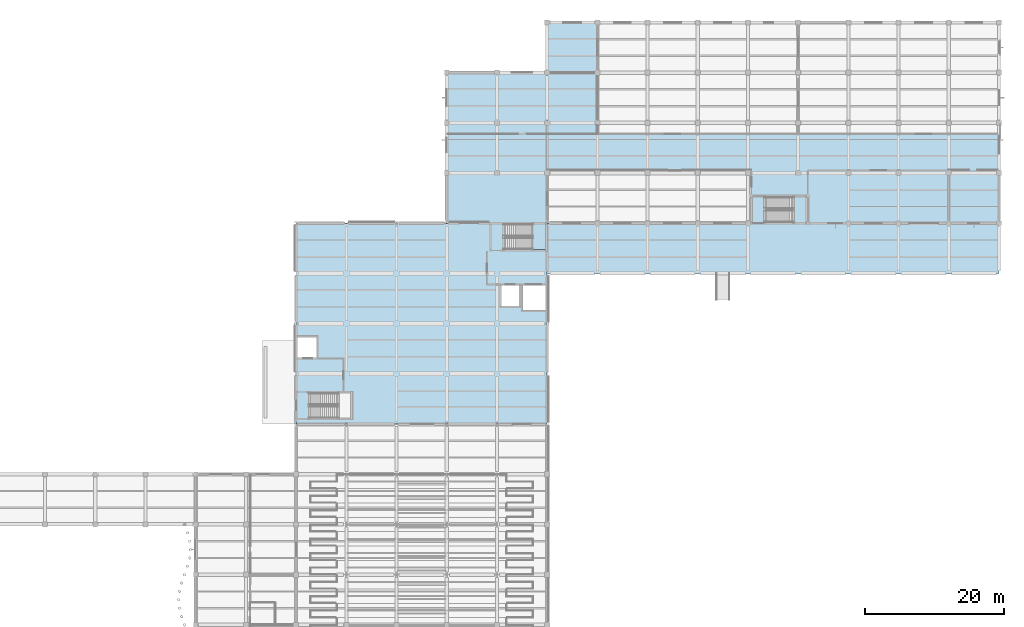
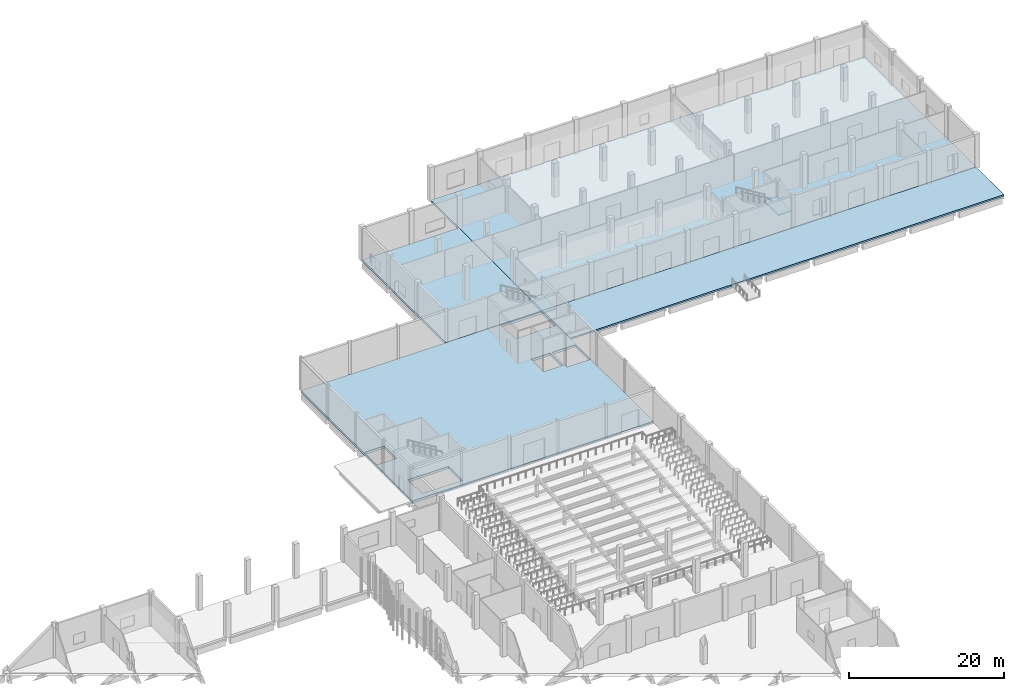
# One storey, part 21 of 46: 6 slabs, 2 elements without a shape of their own.
"""IFC4 building model written with IfcOpenShell, lengths in metres."""

import ifcopenshell
import ifcopenshell.guid

model = None  # the IFC model being written
_history = None  # IfcOwnerHistory: only IFC2X3 demands one
_inside = {}  # id of a spatial element -> (the spatial element, [elements in it])
_under = {}  # id of a project, library or spatial element -> (it, [spatial elements below it])
_declared = {}  # id of a project -> (the project, [libraries it declares])
_typed = {}  # id of a type object -> (the type object, [elements of that type])
_made_of = {}  # id of a material, layer set ... -> (it, [elements and type objects made of it])


def new_model(schema):
    """Start an empty IFC model of exactly this schema.

    Asked for "IFC4X3", IfcOpenShell would pick the latest addendum, in which some entities
    have other attributes; the version numbers below select the first issue.
    IFC2X3 requires an IfcOwnerHistory on every rooted entity: one is made here for all.
    """
    global model, _history
    if schema == "IFC4X3":
        model = ifcopenshell.file(schema_version=(4, 3, 0, 0))
    else:
        model = ifcopenshell.file(schema=schema)
    _inside.clear()
    _under.clear()
    _declared.clear()
    _typed.clear()
    _made_of.clear()
    _history = None
    if model.schema == "IFC2X3":
        org = make("IfcOrganization", Name="unknown")
        user = make(
            "IfcPersonAndOrganization",
            ThePerson=make("IfcPerson", FamilyName="unknown"),
            TheOrganization=org,
        )
        app = make(
            "IfcApplication",
            ApplicationDeveloper=org,
            Version="unknown",
            ApplicationFullName="unknown",
            ApplicationIdentifier="unknown",
        )
        _history = make(
            "IfcOwnerHistory",
            OwningUser=user,
            OwningApplication=app,
            ChangeAction="ADDED",
            CreationDate=0,
        )
    return model


def make(cls, **values):
    """One entity of the class cls with the attributes given. An attribute that is None is left unset."""
    return model.create_entity(
        cls, **{name: value for name, value in values.items() if value is not None}
    )


def rooted(cls, **values):
    """An entity with a GlobalId (a new one), such as an element, a storey or a relation."""
    return make(cls, GlobalId=ifcopenshell.guid.new(), OwnerHistory=_history, **values)


def si_unit(unit_type, name, prefix=None):
    """IfcSIUnit, for example si_unit("LENGTHUNIT", "METRE", prefix="MILLI")."""
    return make("IfcSIUnit", UnitType=unit_type, Prefix=prefix, Name=name)


def assignment(units):
    """IfcUnitAssignment: the units of a project."""
    return None if units is None else make("IfcUnitAssignment", Units=units)


def point(xyz):
    """IfcCartesianPoint."""
    return None if xyz is None else make("IfcCartesianPoint", Coordinates=xyz)


def direction(xyz):
    """IfcDirection."""
    return None if xyz is None else make("IfcDirection", DirectionRatios=xyz)


def frame(location, z_axis=None, x_axis=None):
    """IfcAxis2Placement3D, a coordinate frame: its origin and axes. An axis left out is left unset."""
    return make(
        "IfcAxis2Placement3D",
        Location=point(location),
        Axis=direction(z_axis),
        RefDirection=direction(x_axis),
    )


def origin():
    """The frame at (0, 0, 0) with its axes left unset."""
    return frame((0.0, 0.0, 0.0))


def place(relative_to, where):
    """IfcLocalPlacement: puts the frame where relative to a parent placement (None: the world)."""
    return make(
        "IfcLocalPlacement", PlacementRelTo=relative_to, RelativePlacement=where
    )


def context(
    kind, dimensions, precision=None, world=None, true_north=None, identifier=None
):
    """IfcGeometricRepresentationContext, for example the 3D "Model" context."""
    return make(
        "IfcGeometricRepresentationContext",
        ContextIdentifier=identifier,
        ContextType=kind,
        CoordinateSpaceDimension=dimensions,
        Precision=precision,
        WorldCoordinateSystem=world,
        TrueNorth=true_north,
    )


def subcontext(parent, identifier, kind, view, scale=None):
    """IfcGeometricRepresentationSubContext, for example "Body" below "Model"."""
    return make(
        "IfcGeometricRepresentationSubContext",
        ContextIdentifier=identifier,
        ContextType=kind,
        ParentContext=parent,
        TargetScale=scale,
        TargetView=view,
    )


def project(units=None, contexts=None):
    """IfcProject with its units and contexts."""
    return rooted(
        "IfcProject",
        Name="project",
        RepresentationContexts=contexts,
        UnitsInContext=assignment(units),
    )


def spatial(cls, under=None, at=None, **own):
    """A site, building, storey or space (cls), placed at a placement, below another one or the project."""
    s = rooted(cls, ObjectPlacement=at, **own)
    if under is not None:
        _under.setdefault(under.id(), (under, []))[1].append(s)
    return s


def polyline(points):
    """IfcPolyline through the points."""
    return make("IfcPolyline", Points=[point(p) for p in points])


def outline(outer, holes=None, kind="AREA"):
    """IfcArbitraryClosedProfileDef: a profile drawn as a closed curve; with holes, ...WithVoids."""
    if holes is None:
        return make("IfcArbitraryClosedProfileDef", ProfileType=kind, OuterCurve=outer)
    return make(
        "IfcArbitraryProfileDefWithVoids",
        ProfileType=kind,
        OuterCurve=outer,
        InnerCurves=holes,
    )


def extrude(swept, where, along, depth):
    """IfcExtrudedAreaSolid: the profile swept, set in the frame where, extruded along a direction by depth."""
    return make(
        "IfcExtrudedAreaSolid",
        SweptArea=swept,
        Position=where,
        ExtrudedDirection=direction(along),
        Depth=depth,
    )


def shape(context_of_items, identifier, shape_type, items):
    """IfcShapeRepresentation: the items that make up one representation, for example the "Body"."""
    return make(
        "IfcShapeRepresentation",
        ContextOfItems=context_of_items,
        RepresentationIdentifier=identifier,
        RepresentationType=shape_type,
        Items=items,
    )


def material(Name=None, Category=None):
    """IfcMaterial."""
    return make("IfcMaterial", Name=Name, Category=Category)


def layer(
    of_material, thickness, ventilated=None, Name=None, Category=None, Priority=None
):
    """IfcMaterialLayer: one layer of a wall or slab, of a material (None: an air gap)."""
    return make(
        "IfcMaterialLayer",
        Material=of_material,
        LayerThickness=thickness,
        IsVentilated=ventilated,
        Name=Name,
        Category=Category,
        Priority=Priority,
    )


def layer_set(layers, Name=None):
    """IfcMaterialLayerSet."""
    return make("IfcMaterialLayerSet", MaterialLayers=layers, LayerSetName=Name)


def made_of(thing, what):
    """Note that an element or type object is made of a material, layer set ...; save() writes the relation."""
    if what is not None:
        _made_of.setdefault(what.id(), (what, []))[1].append(thing)
    return thing


def type_object(cls, material=None, **own):
    """A type object (cls), such as IfcWallType, which elements share."""
    return made_of(rooted(cls, **own), material)


def element(
    cls,
    number,
    at=None,
    inside=None,
    cuts=None,
    type_object=None,
    material=None,
    context=None,
    identifier="Body",
    shape_type=None,
    held_by="IfcProductDefinitionShape",
    body=None,
    shapes=None,
    **own,
):
    """One element of the class cls, such as IfcWall. Its Tag is "e" and its number.

    at: its placement. inside: the storey or other place that contains it. cuts: it is an
    opening in that element (IfcRelVoidsElement). A single representation is given by context,
    identifier, shape_type and body (its items); several are given by shapes. held_by: the class
    of the entity that holds the representations. save() writes the other relations.
    """
    e = rooted(cls, Tag="e%d" % number, ObjectPlacement=at, **own)
    if body is not None:
        shapes = [shape(context, identifier, shape_type, body)]
    if shapes is not None:
        e.Representation = make(held_by, Representations=shapes)
    if inside is not None:
        _inside.setdefault(inside.id(), (inside, []))[1].append(e)
    if cuts is not None:
        rooted(
            "IfcRelVoidsElement", RelatingBuildingElement=cuts, RelatedOpeningElement=e
        )
    if type_object is not None:
        _typed.setdefault(type_object.id(), (type_object, []))[1].append(e)
    return made_of(e, material)


def aggregate(whole, parts):
    """IfcRelAggregates: a whole, such as a stair, and the parts it consists of."""
    return rooted("IfcRelAggregates", RelatingObject=whole, RelatedObjects=parts)


def save(model, path):
    """Write the relations noted so far, then the file.

    IfcRelAggregates (storeys below a building ...), IfcRelContainedInSpatialStructure (elements
    in a storey), IfcRelDefinesByType, IfcRelAssociatesMaterial and IfcRelDeclares: one each for
    every whole, place, type object, material and project.
    """
    for whole, parts in _under.values():
        aggregate(whole, parts)
    for where, things in _inside.values():
        rooted(
            "IfcRelContainedInSpatialStructure",
            RelatedElements=things,
            RelatingStructure=where,
        )
    for kind, things in _typed.values():
        rooted("IfcRelDefinesByType", RelatedObjects=things, RelatingType=kind)
    for what, things in _made_of.values():
        rooted("IfcRelAssociatesMaterial", RelatedObjects=things, RelatingMaterial=what)
    for by, libraries in _declared.values():
        rooted("IfcRelDeclares", RelatingContext=by, RelatedDefinitions=libraries)
    model.write(path)


model = new_model("IFC4")

# Units and contexts
model_context = context("Model", 3, precision=1e-05, world=origin(), true_north=direction((0.0, 1.0)))
body_context = subcontext(model_context, "Body", "Model", "MODEL_VIEW")
ifc_project = project(units=[si_unit("LENGTHUNIT", "METRE"), si_unit("AREAUNIT", "SQUARE_METRE"), si_unit("VOLUMEUNIT", "CUBIC_METRE"), si_unit("PLANEANGLEUNIT", "RADIAN"), si_unit("MASSUNIT", "GRAM", prefix="KILO"), si_unit("THERMODYNAMICTEMPERATUREUNIT", "KELVIN"), si_unit("POWERUNIT", "WATT")], contexts=[model_context])

# Site, building, storey
site_placement = place(None, origin())
site = spatial("IfcSite", under=ifc_project, at=site_placement, CompositionType="ELEMENT")
building_placement = place(site_placement, origin())
building = spatial("IfcBuilding", under=site, at=building_placement, Name="Kaldorven Railside Theatre", CompositionType="ELEMENT")
storey_placement = place(building_placement, origin())
storey = spatial("IfcBuildingStorey", under=building, at=storey_placement, Name="L00", CompositionType="ELEMENT", Elevation=0.0)

# Slabs
ifc_material = material(Name="Concrete C35/45", Category="concrete")
ifc_layer_1 = layer(ifc_material, 0.25, Name="Concrete C35/45")
ifc_layer_set_1 = layer_set([ifc_layer_1], Name="Concrete C35/45")
slab_type_1 = type_object("IfcSlabType", Name="SLB-ESL-250", PredefinedType="FLOOR", material=ifc_layer_set_1)
slab_1_placement = place(storey_placement, frame((0.0, 0.0, -0.25)))
element("IfcSlab", 1, at=slab_1_placement, inside=storey, type_object=slab_type_1, Name="L00 Floor Slab SL-L00-APR", PredefinedType="FLOOR", context=body_context, shape_type="SweptSolid", body=[
    extrude(outline(polyline([(123.199951171875, 105.60009765625), (188.0, 105.60009765625), (188.0, 112.800048828125), (123.199951171875, 112.800048828125), (123.199951171875, 105.60009765625)])), origin(), (0.0, 0.0, 1.0), 0.25),
])
ifc_layer_2 = layer(ifc_material, 0.35009765625, Name="Concrete C35/45")
ifc_layer_set_2 = layer_set([ifc_layer_2], Name="Concrete C35/45")
slab_type_2 = type_object("IfcSlabType", Name="SLB-FSL-350", PredefinedType="FLOOR", material=ifc_layer_set_2)
slab_2_placement = place(storey_placement, frame((0.0, 0.0, -0.35009765625)))
element("IfcSlab", 2, at=slab_2_placement, inside=storey, type_object=slab_type_2, Name="L00 Floor Slab SL-L00-V6", PredefinedType="FLOOR", context=body_context, shape_type="SweptSolid", body=[
    extrude(outline(polyline([(123.199951171875, 112.800048828125), (188.0, 112.800048828125), (188.0, 141.60009765625), (123.199951171875, 141.60009765625), (123.199951171875, 112.800048828125)])), origin(), (0.0, 0.0, 1.0), 0.35009765625),
])
slab_3_placement = place(storey_placement, frame((0.0, 0.0, -0.35009765625)))
element("IfcSlab", 3, at=slab_3_placement, inside=storey, type_object=slab_type_2, Name="L00 Floor Slab SL-L00-V6L", PredefinedType="FLOOR", context=body_context, shape_type="SweptSolid", body=[
    extrude(outline(polyline([(108.800048828125, 112.800048828125), (123.199951171875, 112.800048828125), (123.199951171875, 134.39990234375), (108.800048828125, 134.39990234375), (108.800048828125, 112.800048828125)])), origin(), (0.0, 0.0, 1.0), 0.35009765625),
])
ifc_layer_3 = layer(ifc_material, 0.3798828125, Name="Concrete C35/45")
ifc_layer_set_3 = layer_set([ifc_layer_3], Name="Concrete C35/45")
slab_type_3 = type_object("IfcSlabType", Name="SLB-FSL-380", PredefinedType="FLOOR", material=ifc_layer_set_3)
slab_4_placement = place(storey_placement, frame((0.0, 0.0, -0.3798828125)))
element("IfcSlab", 4, at=slab_4_placement, inside=storey, type_object=slab_type_3, Name="L00 Floor Slab SL-L00-V2", PredefinedType="FLOOR", context=body_context, shape_type="SweptSolid", body=[
    extrude(outline(polyline([(87.199951171875, 84.0), (123.199951171875, 84.0), (123.199951171875, 112.800048828125), (87.199951171875, 112.800048828125), (87.199951171875, 84.0)]), holes=[polyline([(89.050048828125, 88.449951171875), (95.14990234375, 88.449951171875), (95.14990234375, 84.85009765625), (89.199951171875, 84.85009765625), (89.199951171875, 86.570068359375), (89.050048828125, 86.570068359375), (89.050048828125, 88.449951171875)]), polyline([(116.949951171875, 112.64990234375), (123.050048828125, 112.64990234375), (123.050048828125, 109.050048828125), (117.10009765625, 109.050048828125), (117.10009765625, 110.77001953125), (116.949951171875, 110.77001953125), (116.949951171875, 112.64990234375)]), polyline([(90.25, 93.39990234375), (90.25, 96.60009765625), (87.35009765625, 96.60009765625), (87.35009765625, 93.39990234375), (90.25, 93.39990234375)]), polyline([(119.300048828125, 100.800048828125), (119.300048828125, 104.0), (116.5, 104.0), (116.5, 100.800048828125), (119.300048828125, 100.800048828125)]), polyline([(123.050048828125, 100.199951171875), (123.050048828125, 104.0), (119.580078125, 104.0), (119.580078125, 100.199951171875), (123.050048828125, 100.199951171875)])]), origin(), (0.0, 0.0, 1.0), 0.3798828125),
])

# Stair, slab
stair_type = type_object("IfcStairType", Name="STR-DL-02", PredefinedType="HALF_TURN_STAIR", material=ifc_material)
stair_1_placement = place(storey_placement, origin())
stair_1 = element("IfcStair", 5, at=stair_1_placement, inside=storey, type_object=stair_type, Name="L00 Core C-STE Escape Stair ST-06", PredefinedType="HALF_TURN_STAIR")
ifc_layer_4 = layer(ifc_material, 0.199951171875, Name="Concrete C35/45")
ifc_layer_set_4 = layer_set([ifc_layer_4], Name="Concrete C35/45")
slab_type_4 = type_object("IfcSlabType", Name="SLB-LSL-200", PredefinedType="LANDING", material=ifc_layer_set_4)
slab_5_placement = place(storey_placement, frame((0.0, 0.0, 2.5)))
slab_5 = element("IfcSlab", 6, at=slab_5_placement, type_object=slab_type_4, Name="ST-06 landing 1", PredefinedType="LANDING", context=body_context, shape_type="SweptSolid", body=[
    extrude(outline(polyline([(121.125, 109.02001953125), (123.080078125, 109.02001953125), (123.080078125, 112.679931640625), (121.125, 112.679931640625), (121.125, 109.02001953125)])), origin(), (0.0, 0.0, 1.0), 0.199951171875),
])
aggregate(stair_1, [slab_5])

stair_2_placement = place(storey_placement, origin())
stair_2 = element("IfcStair", 7, at=stair_2_placement, inside=storey, type_object=stair_type, Name="L00 East Backstage Escape Stair", PredefinedType="HALF_TURN_STAIR")
slab_6_placement = place(storey_placement, frame((0.0, 0.0, 2.5)))
slab_6 = element("IfcSlab", 8, at=slab_6_placement, type_object=slab_type_4, Name="ST-08 landing 1", PredefinedType="LANDING", context=body_context, shape_type="SweptSolid", body=[
    extrude(outline(polyline([(158.52490234375, 112.919921875), (160.47998046875, 112.919921875), (160.47998046875, 116.580078125), (158.52490234375, 116.580078125), (158.52490234375, 112.919921875)])), origin(), (0.0, 0.0, 1.0), 0.199951171875),
])
aggregate(stair_2, [slab_6])

save(model, "model.ifc")
